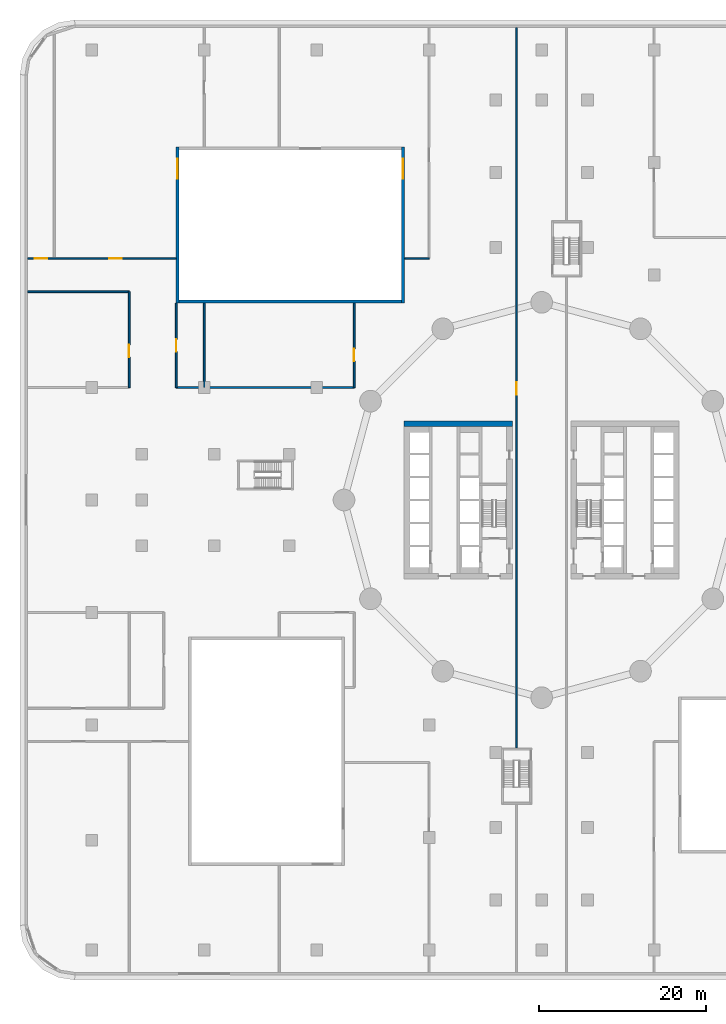
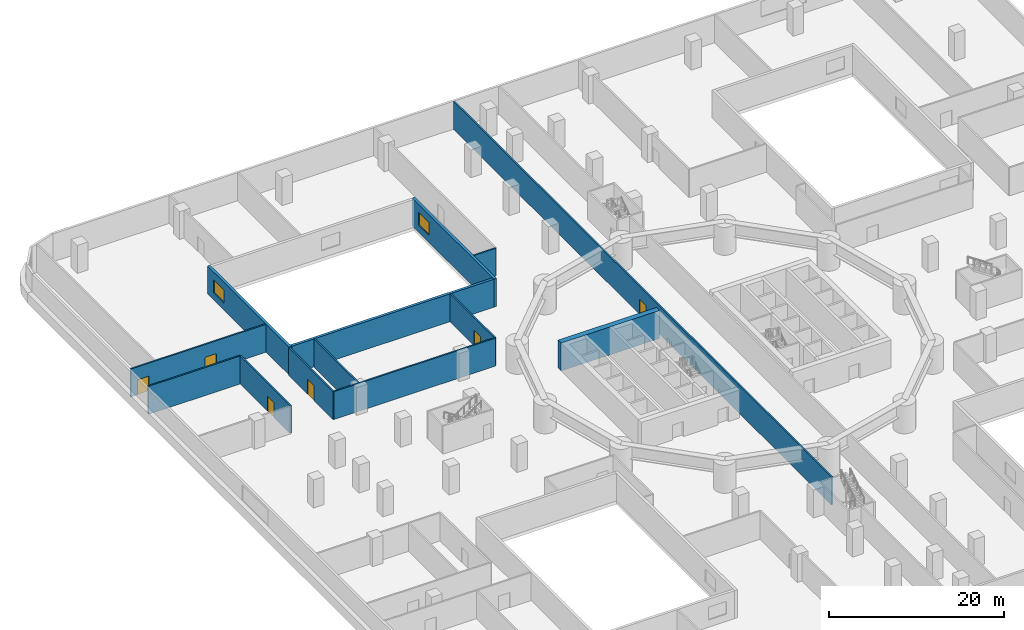
# One storey, part 9 of 16: 13 walls, 6 doors, 2 windows, 8 openings.
"""IFC4 building model written with IfcOpenShell, lengths in metres."""

import ifcopenshell
import ifcopenshell.guid

model = None  # the IFC model being written
_history = None  # IfcOwnerHistory: only IFC2X3 demands one
_inside = {}  # id of a spatial element -> (the spatial element, [elements in it])
_under = {}  # id of a project, library or spatial element -> (it, [spatial elements below it])
_declared = {}  # id of a project -> (the project, [libraries it declares])
_typed = {}  # id of a type object -> (the type object, [elements of that type])
_made_of = {}  # id of a material, layer set ... -> (it, [elements and type objects made of it])


def new_model(schema):
    """Start an empty IFC model of exactly this schema.

    Asked for "IFC4X3", IfcOpenShell would pick the latest addendum, in which some entities
    have other attributes; the version numbers below select the first issue.
    IFC2X3 requires an IfcOwnerHistory on every rooted entity: one is made here for all.
    """
    global model, _history
    if schema == "IFC4X3":
        model = ifcopenshell.file(schema_version=(4, 3, 0, 0))
    else:
        model = ifcopenshell.file(schema=schema)
    _inside.clear()
    _under.clear()
    _declared.clear()
    _typed.clear()
    _made_of.clear()
    _history = None
    if model.schema == "IFC2X3":
        org = make("IfcOrganization", Name="unknown")
        user = make(
            "IfcPersonAndOrganization",
            ThePerson=make("IfcPerson", FamilyName="unknown"),
            TheOrganization=org,
        )
        app = make(
            "IfcApplication",
            ApplicationDeveloper=org,
            Version="unknown",
            ApplicationFullName="unknown",
            ApplicationIdentifier="unknown",
        )
        _history = make(
            "IfcOwnerHistory",
            OwningUser=user,
            OwningApplication=app,
            ChangeAction="ADDED",
            CreationDate=0,
        )
    return model


def make(cls, **values):
    """One entity of the class cls with the attributes given. An attribute that is None is left unset."""
    return model.create_entity(
        cls, **{name: value for name, value in values.items() if value is not None}
    )


def rooted(cls, **values):
    """An entity with a GlobalId (a new one), such as an element, a storey or a relation."""
    return make(cls, GlobalId=ifcopenshell.guid.new(), OwnerHistory=_history, **values)


def si_unit(unit_type, name, prefix=None):
    """IfcSIUnit, for example si_unit("LENGTHUNIT", "METRE", prefix="MILLI")."""
    return make("IfcSIUnit", UnitType=unit_type, Prefix=prefix, Name=name)


def assignment(units):
    """IfcUnitAssignment: the units of a project."""
    return None if units is None else make("IfcUnitAssignment", Units=units)


def point(xyz):
    """IfcCartesianPoint."""
    return None if xyz is None else make("IfcCartesianPoint", Coordinates=xyz)


def direction(xyz):
    """IfcDirection."""
    return None if xyz is None else make("IfcDirection", DirectionRatios=xyz)


def frame(location, z_axis=None, x_axis=None):
    """IfcAxis2Placement3D, a coordinate frame: its origin and axes. An axis left out is left unset."""
    return make(
        "IfcAxis2Placement3D",
        Location=point(location),
        Axis=direction(z_axis),
        RefDirection=direction(x_axis),
    )


def frame_2d(location, x_axis=None):
    """IfcAxis2Placement2D, a coordinate frame in the plane: its origin and x axis."""
    return make(
        "IfcAxis2Placement2D", Location=point(location), RefDirection=direction(x_axis)
    )


def origin():
    """The frame at (0, 0, 0) with its axes left unset."""
    return frame((0.0, 0.0, 0.0))


def place(relative_to, where):
    """IfcLocalPlacement: puts the frame where relative to a parent placement (None: the world)."""
    return make(
        "IfcLocalPlacement", PlacementRelTo=relative_to, RelativePlacement=where
    )


def context(
    kind, dimensions, precision=None, world=None, true_north=None, identifier=None
):
    """IfcGeometricRepresentationContext, for example the 3D "Model" context."""
    return make(
        "IfcGeometricRepresentationContext",
        ContextIdentifier=identifier,
        ContextType=kind,
        CoordinateSpaceDimension=dimensions,
        Precision=precision,
        WorldCoordinateSystem=world,
        TrueNorth=true_north,
    )


def subcontext(parent, identifier, kind, view, scale=None):
    """IfcGeometricRepresentationSubContext, for example "Body" below "Model"."""
    return make(
        "IfcGeometricRepresentationSubContext",
        ContextIdentifier=identifier,
        ContextType=kind,
        ParentContext=parent,
        TargetScale=scale,
        TargetView=view,
    )


def project(units=None, contexts=None):
    """IfcProject with its units and contexts."""
    return rooted(
        "IfcProject",
        Name="project",
        RepresentationContexts=contexts,
        UnitsInContext=assignment(units),
    )


def spatial(cls, under=None, at=None, **own):
    """A site, building, storey or space (cls), placed at a placement, below another one or the project."""
    s = rooted(cls, ObjectPlacement=at, **own)
    if under is not None:
        _under.setdefault(under.id(), (under, []))[1].append(s)
    return s


def profile(cls, at=None, kind="AREA", **sizes):
    """A parametric profile (cls). Its sizes go by their IFC names, for example OverallWidth=200.0."""
    return make(cls, ProfileType=kind, Position=at, **sizes)


def rectangle(**sizes):
    """IfcRectangleProfileDef."""
    return profile("IfcRectangleProfileDef", **sizes)


def extrude(swept, where, along, depth):
    """IfcExtrudedAreaSolid: the profile swept, set in the frame where, extruded along a direction by depth."""
    return make(
        "IfcExtrudedAreaSolid",
        SweptArea=swept,
        Position=where,
        ExtrudedDirection=direction(along),
        Depth=depth,
    )


def shape(context_of_items, identifier, shape_type, items):
    """IfcShapeRepresentation: the items that make up one representation, for example the "Body"."""
    return make(
        "IfcShapeRepresentation",
        ContextOfItems=context_of_items,
        RepresentationIdentifier=identifier,
        RepresentationType=shape_type,
        Items=items,
    )


def material(Name=None, Category=None):
    """IfcMaterial."""
    return make("IfcMaterial", Name=Name, Category=Category)


def layer(
    of_material, thickness, ventilated=None, Name=None, Category=None, Priority=None
):
    """IfcMaterialLayer: one layer of a wall or slab, of a material (None: an air gap)."""
    return make(
        "IfcMaterialLayer",
        Material=of_material,
        LayerThickness=thickness,
        IsVentilated=ventilated,
        Name=Name,
        Category=Category,
        Priority=Priority,
    )


def layer_set(layers, Name=None):
    """IfcMaterialLayerSet."""
    return make("IfcMaterialLayerSet", MaterialLayers=layers, LayerSetName=Name)


def made_of(thing, what):
    """Note that an element or type object is made of a material, layer set ...; save() writes the relation."""
    if what is not None:
        _made_of.setdefault(what.id(), (what, []))[1].append(thing)
    return thing


def type_object(cls, material=None, **own):
    """A type object (cls), such as IfcWallType, which elements share."""
    return made_of(rooted(cls, **own), material)


def element(
    cls,
    number,
    at=None,
    inside=None,
    cuts=None,
    type_object=None,
    material=None,
    context=None,
    identifier="Body",
    shape_type=None,
    held_by="IfcProductDefinitionShape",
    body=None,
    shapes=None,
    **own,
):
    """One element of the class cls, such as IfcWall. Its Tag is "e" and its number.

    at: its placement. inside: the storey or other place that contains it. cuts: it is an
    opening in that element (IfcRelVoidsElement). A single representation is given by context,
    identifier, shape_type and body (its items); several are given by shapes. held_by: the class
    of the entity that holds the representations. save() writes the other relations.
    """
    e = rooted(cls, Tag="e%d" % number, ObjectPlacement=at, **own)
    if body is not None:
        shapes = [shape(context, identifier, shape_type, body)]
    if shapes is not None:
        e.Representation = make(held_by, Representations=shapes)
    if inside is not None:
        _inside.setdefault(inside.id(), (inside, []))[1].append(e)
    if cuts is not None:
        rooted(
            "IfcRelVoidsElement", RelatingBuildingElement=cuts, RelatedOpeningElement=e
        )
    if type_object is not None:
        _typed.setdefault(type_object.id(), (type_object, []))[1].append(e)
    return made_of(e, material)


def fill(opening, filler):
    """IfcRelFillsElement: the door or window that sits in an opening."""
    return rooted(
        "IfcRelFillsElement",
        RelatingOpeningElement=opening,
        RelatedBuildingElement=filler,
    )


def aggregate(whole, parts):
    """IfcRelAggregates: a whole, such as a stair, and the parts it consists of."""
    return rooted("IfcRelAggregates", RelatingObject=whole, RelatedObjects=parts)


def save(model, path):
    """Write the relations noted so far, then the file.

    IfcRelAggregates (storeys below a building ...), IfcRelContainedInSpatialStructure (elements
    in a storey), IfcRelDefinesByType, IfcRelAssociatesMaterial and IfcRelDeclares: one each for
    every whole, place, type object, material and project.
    """
    for whole, parts in _under.values():
        aggregate(whole, parts)
    for where, things in _inside.values():
        rooted(
            "IfcRelContainedInSpatialStructure",
            RelatedElements=things,
            RelatingStructure=where,
        )
    for kind, things in _typed.values():
        rooted("IfcRelDefinesByType", RelatedObjects=things, RelatingType=kind)
    for what, things in _made_of.values():
        rooted("IfcRelAssociatesMaterial", RelatedObjects=things, RelatingMaterial=what)
    for by, libraries in _declared.values():
        rooted("IfcRelDeclares", RelatingContext=by, RelatedDefinitions=libraries)
    model.write(path)


model = new_model("IFC4")

# Units and contexts
model_context = context("Model", 3, precision=1e-05, world=origin(), true_north=direction((0.0, 1.0)))
body_context = subcontext(model_context, "Body", "Model", "MODEL_VIEW")
ifc_project = project(units=[si_unit("LENGTHUNIT", "METRE"), si_unit("AREAUNIT", "SQUARE_METRE"), si_unit("VOLUMEUNIT", "CUBIC_METRE"), si_unit("PLANEANGLEUNIT", "RADIAN"), si_unit("MASSUNIT", "GRAM", prefix="KILO")], contexts=[model_context])

# Site, building, storey
site_placement = place(None, origin())
site = spatial("IfcSite", under=ifc_project, at=site_placement, CompositionType="ELEMENT")
building_placement = place(site_placement, origin())
building = spatial("IfcBuilding", under=site, at=building_placement, Name="Tamarind Cross Interchange Tower", CompositionType="ELEMENT")
storey_placement = place(building_placement, frame((0.0, 0.0, 25.0)))
storey = spatial("IfcBuildingStorey", under=building, at=storey_placement, Name="L04", CompositionType="ELEMENT", Elevation=25.0)

# Walls
ifc_material_1 = material(Name="Concrete C80", Category="concrete")
ifc_layer_1 = layer(ifc_material_1, 0.699951171875)
ifc_layer_set_1 = layer_set([ifc_layer_1], Name="Concrete C80")
wall_type_1 = type_object("IfcWallType", Name="Core wall 700 mm Concrete C80", PredefinedType="SHEAR", material=ifc_layer_set_1)
wall_1_placement = place(storey_placement, frame((-16.5, 9.14990234375, 0.0), z_axis=(0.0, 0.0, 1.0), x_axis=(1.0, 0.0, 0.0)))
element("IfcWall", 1, at=wall_1_placement, inside=storey, type_object=wall_type_1, Name="Core wall CWL-L04-W-NE", PredefinedType="SHEAR", context=body_context, shape_type="SweptSolid", body=[
    extrude(rectangle(XDim=13.0, YDim=0.699951171875, at=frame_2d((6.5, 0.0))), origin(), (0.0, 0.0, 1.0), 3.89990234375),
])
ifc_material_2 = material(Name="Masonry partition, fire-rated", Category="masonry")
ifc_layer_2 = layer(ifc_material_2, 0.199951171875)
ifc_layer_set_2 = layer_set([ifc_layer_2], Name="Masonry partition, fire-rated")
wall_type_2 = type_object("IfcWallType", Name="Fire partition 200 EI 120", PredefinedType="PARTITIONING", material=ifc_layer_set_2)
wall_2_placement = place(storey_placement, frame((-61.698974609375, 25.0, 0.0), z_axis=(0.0, 0.0, 1.0), x_axis=(1.0, 0.0, 0.0)))
element("IfcWall", 2, at=wall_2_placement, inside=storey, type_object=wall_type_2, Name="L04 partition 8", PredefinedType="PARTITIONING", context=body_context, shape_type="SweptSolid", body=[
    extrude(rectangle(XDim=12.198974609375, YDim=0.199951171875, at=frame_2d((6.099609375, 0.0))), origin(), (0.0, 0.0, 1.0), 3.89990234375),
])

# Wall, opening, door
wall_3_placement = place(storey_placement, frame((-49.5, 13.5, 0.0), z_axis=(0.0, 0.0, 1.0), x_axis=(0.0, 1.0, 0.0)))
wall_3 = element("IfcWall", 3, at=wall_3_placement, inside=storey, type_object=wall_type_2, Name="L04 partition 9", PredefinedType="PARTITIONING", context=body_context, shape_type="SweptSolid", body=[
    extrude(rectangle(XDim=11.5, YDim=0.199951171875, at=frame_2d((5.75, 0.0))), origin(), (0.0, 0.0, 1.0), 3.89990234375),
])
opening_1_placement = place(wall_3_placement, frame((3.654052734375, 0.0, 0.0)))
opening_1 = element("IfcOpeningElement", 4, at=opening_1_placement, cuts=wall_3, Name="Opening DL04-09", PredefinedType="OPENING", context=body_context, shape_type="SweptSolid", body=[
    extrude(rectangle(XDim=1.5, YDim=2.10009765625, at=frame_2d((0.75, 1.050048828125))), frame((0.0, 0.10986328125, 0.0), z_axis=(0.0, -1.0, 0.0), x_axis=(1.0, 0.0, 0.0)), (0.0, 0.0, 1.0), 0.219970703125),
])
ifc_material_3 = material(Name="Steel, fire-resisting", Category="steel")
door_type_1 = type_object("IfcDoorType", Name="Podium door 1500 x 2100 FD90", OperationType="SINGLE_SWING_LEFT", PredefinedType="DOOR", material=ifc_material_3)
door_1_placement = place(opening_1_placement, origin())
door_1 = element("IfcDoor", 5, at=door_1_placement, inside=storey, type_object=door_type_1, Name="L04 door Smoke Extract Plant Room 0409", OperationType="SINGLE_SWING_LEFT", OverallHeight=2.10009765625, OverallWidth=1.5, PredefinedType="DOOR", context=body_context, shape_type="SweptSolid", body=[
    extrude(rectangle(XDim=1.5, YDim=2.10009765625, at=frame_2d((0.75, 1.050048828125))), frame((0.0, 0.02490234375, 0.0), z_axis=(0.0, -1.0, 0.0), x_axis=(1.0, 0.0, 0.0)), (0.0, 0.0, 1.0), 0.050048828125),
])
fill(opening_1, door_1)

# Wall, openings, doors
wall_4_placement = place(storey_placement, frame((-61.698974609375, 29.0, 0.0), z_axis=(0.0, 0.0, 1.0), x_axis=(1.0, 0.0, 0.0)))
wall_4 = element("IfcWall", 6, at=wall_4_placement, inside=storey, type_object=wall_type_2, Name="L04 partition 11", PredefinedType="PARTITIONING", context=body_context, shape_type="SweptSolid", body=[
    extrude(rectangle(XDim=17.819091796875, YDim=0.199951171875, at=frame_2d((8.90966796875, 0.0))), origin(), (0.0, 0.0, 1.0), 3.89990234375),
])
opening_2_placement = place(wall_4_placement, frame((9.783935546875, 0.0, 0.0)))
opening_2 = element("IfcOpeningElement", 7, at=opening_2_placement, cuts=wall_4, Name="Opening DL04-12", PredefinedType="OPENING", context=body_context, shape_type="SweptSolid", body=[
    extrude(rectangle(XDim=1.5, YDim=2.10009765625, at=frame_2d((0.75, 1.050048828125))), frame((0.0, 0.10986328125, 0.0), z_axis=(0.0, -1.0, 0.0), x_axis=(1.0, 0.0, 0.0)), (0.0, 0.0, 1.0), 0.219970703125),
])
opening_3_placement = place(wall_4_placement, frame((0.84912109375, 0.0, 0.0)))
opening_3 = element("IfcOpeningElement", 8, at=opening_3_placement, cuts=wall_4, Name="Opening DL04-13", PredefinedType="OPENING", context=body_context, shape_type="SweptSolid", body=[
    extrude(rectangle(XDim=1.5, YDim=2.10009765625, at=frame_2d((0.75, 1.050048828125))), frame((0.0, 0.10986328125, 0.0), z_axis=(0.0, -1.0, 0.0), x_axis=(1.0, 0.0, 0.0)), (0.0, 0.0, 1.0), 0.219970703125),
])
door_type_2 = type_object("IfcDoorType", Name="Podium door 1500 x 2100 FD60", OperationType="SINGLE_SWING_LEFT", PredefinedType="DOOR", material=ifc_material_3)
door_2_placement = place(opening_2_placement, origin())
door_2 = element("IfcDoor", 9, at=door_2_placement, inside=storey, type_object=door_type_2, Name="L04 door Fire Pump Room 0412", OperationType="SINGLE_SWING_RIGHT", OverallHeight=2.10009765625, OverallWidth=1.5, PredefinedType="DOOR", context=body_context, shape_type="SweptSolid", body=[
    extrude(rectangle(XDim=1.5, YDim=2.10009765625, at=frame_2d((0.75, 1.050048828125))), frame((0.0, 0.02490234375, 0.0), z_axis=(0.0, -1.0, 0.0), x_axis=(1.0, 0.0, 0.0)), (0.0, 0.0, 1.0), 0.050048828125),
])
fill(opening_2, door_2)
door_3_placement = place(opening_3_placement, origin())
door_3 = element("IfcDoor", 10, at=door_3_placement, inside=storey, type_object=door_type_1, Name="L04 door Electrical Switch Room 0413", OperationType="SINGLE_SWING_LEFT", OverallHeight=2.10009765625, OverallWidth=1.5, PredefinedType="DOOR", context=body_context, shape_type="SweptSolid", body=[
    extrude(rectangle(XDim=1.5, YDim=2.10009765625, at=frame_2d((0.75, 1.050048828125))), frame((0.0, 0.02490234375, 0.0), z_axis=(0.0, -1.0, 0.0), x_axis=(1.0, 0.0, 0.0)), (0.0, 0.0, 1.0), 0.050048828125),
])
fill(opening_3, door_3)

# Wall
wall_5_placement = place(storey_placement, frame((-43.85009765625, 13.5, 0.0), z_axis=(0.0, 0.0, 1.0), x_axis=(1.0, 0.0, 0.0)))
element("IfcWall", 11, at=wall_5_placement, inside=storey, type_object=wall_type_2, Name="L04 partition 16", PredefinedType="PARTITIONING", context=body_context, shape_type="SweptSolid", body=[
    extrude(rectangle(XDim=21.35009765625, YDim=0.199951171875, at=frame_2d((10.675048828125, 0.0))), origin(), (0.0, 0.0, 1.0), 3.89990234375),
])

# Wall, opening, door
wall_6_placement = place(storey_placement, frame((-43.85009765625, 13.5, 0.0), z_axis=(0.0, 0.0, 1.0), x_axis=(0.0, 1.0, 0.0)))
wall_6 = element("IfcWall", 12, at=wall_6_placement, inside=storey, type_object=wall_type_2, Name="L04 partition 17", PredefinedType="PARTITIONING", context=body_context, shape_type="SweptSolid", body=[
    extrude(rectangle(XDim=10.1201171875, YDim=0.199951171875, at=frame_2d((5.06005859375, 0.0))), origin(), (0.0, 0.0, 1.0), 3.89990234375),
])
opening_4_placement = place(wall_6_placement, frame((4.3154296875, 0.0, 0.0)))
opening_4 = element("IfcOpeningElement", 13, at=opening_4_placement, cuts=wall_6, Name="Opening DL04-14", PredefinedType="OPENING", context=body_context, shape_type="SweptSolid", body=[
    extrude(rectangle(XDim=1.5, YDim=2.10009765625, at=frame_2d((0.75, 1.050048828125))), frame((0.0, 0.10986328125, 0.0), z_axis=(0.0, -1.0, 0.0), x_axis=(1.0, 0.0, 0.0)), (0.0, 0.0, 1.0), 0.219970703125),
])
door_4_placement = place(opening_4_placement, origin())
door_4 = element("IfcDoor", 14, at=door_4_placement, inside=storey, type_object=door_type_1, Name="L04 door Generator Room 0408", OperationType="SINGLE_SWING_RIGHT", OverallHeight=2.10009765625, OverallWidth=1.5, PredefinedType="DOOR", context=body_context, shape_type="SweptSolid", body=[
    extrude(rectangle(XDim=1.5, YDim=2.10009765625, at=frame_2d((0.75, 1.050048828125))), frame((0.0, 0.02490234375, 0.0), z_axis=(0.0, -1.0, 0.0), x_axis=(1.0, 0.0, 0.0)), (0.0, 0.0, 1.0), 0.050048828125),
])
fill(opening_4, door_4)

# Wall
wall_7_placement = place(storey_placement, frame((-40.5, 13.5, 0.0), z_axis=(0.0, 0.0, 1.0), x_axis=(0.0, 1.0, 0.0)))
element("IfcWall", 15, at=wall_7_placement, inside=storey, type_object=wall_type_2, Name="L04 partition 18", PredefinedType="PARTITIONING", context=body_context, shape_type="SweptSolid", body=[
    extrude(rectangle(XDim=10.1201171875, YDim=0.199951171875, at=frame_2d((5.06005859375, 0.0))), origin(), (0.0, 0.0, 1.0), 3.89990234375),
])

# Wall, opening, door
wall_8_placement = place(storey_placement, frame((-22.5, 13.5, 0.0), z_axis=(0.0, 0.0, 1.0), x_axis=(0.0, 1.0, 0.0)))
wall_8 = element("IfcWall", 16, at=wall_8_placement, inside=storey, type_object=wall_type_2, Name="L04 partition 19", PredefinedType="PARTITIONING", context=body_context, shape_type="SweptSolid", body=[
    extrude(rectangle(XDim=10.1201171875, YDim=0.199951171875, at=frame_2d((5.06005859375, 0.0))), origin(), (0.0, 0.0, 1.0), 3.89990234375),
])
opening_5_placement = place(wall_8_placement, frame((3.16796875, 0.0, 0.0)))
opening_5 = element("IfcOpeningElement", 17, at=opening_5_placement, cuts=wall_8, Name="Opening DL04-08", PredefinedType="OPENING", context=body_context, shape_type="SweptSolid", body=[
    extrude(rectangle(XDim=1.5, YDim=2.10009765625, at=frame_2d((0.75, 1.050048828125))), frame((0.0, 0.10986328125, 0.0), z_axis=(0.0, -1.0, 0.0), x_axis=(1.0, 0.0, 0.0)), (0.0, 0.0, 1.0), 0.219970703125),
])
door_5_placement = place(opening_5_placement, origin())
door_5 = element("IfcDoor", 18, at=door_5_placement, inside=storey, type_object=door_type_1, Name="L04 door Electrical Switch Room 0407", OperationType="SINGLE_SWING_RIGHT", OverallHeight=2.10009765625, OverallWidth=1.5, PredefinedType="DOOR", context=body_context, shape_type="SweptSolid", body=[
    extrude(rectangle(XDim=1.5, YDim=2.10009765625, at=frame_2d((0.75, 1.050048828125))), frame((0.0, 0.02490234375, 0.0), z_axis=(0.0, -1.0, 0.0), x_axis=(1.0, 0.0, 0.0)), (0.0, 0.0, 1.0), 0.050048828125),
])
fill(opening_5, door_5)

# Wall
wall_9_placement = place(storey_placement, frame((-16.419921875, 29.0, 0.0), z_axis=(0.0, 0.0, 1.0), x_axis=(1.0, 0.0, 0.0)))
element("IfcWall", 19, at=wall_9_placement, inside=storey, type_object=wall_type_2, Name="L04 partition 30", PredefinedType="PARTITIONING", context=body_context, shape_type="SweptSolid", body=[
    extrude(rectangle(XDim=2.919921875, YDim=0.199951171875, at=frame_2d((1.4599609375, 0.0))), origin(), (0.0, 0.0, 1.0), 3.89990234375),
])

# Wall, opening, door
wall_10_placement = place(storey_placement, frame((-3.0, -29.77001953125, 0.0), z_axis=(0.0, 0.0, 1.0), x_axis=(0.0, 1.0, 0.0)))
wall_10 = element("IfcWall", 20, at=wall_10_placement, inside=storey, type_object=wall_type_2, Name="L04 partition 32", PredefinedType="PARTITIONING", context=body_context, shape_type="SweptSolid", body=[
    extrude(rectangle(XDim=86.468994140625, YDim=0.199951171875, at=frame_2d((43.234375, 0.0))), origin(), (0.0, 0.0, 1.0), 3.89990234375),
])
opening_6_placement = place(wall_10_placement, frame((42.3701171875, 0.0, 0.0)))
opening_6 = element("IfcOpeningElement", 21, at=opening_6_placement, cuts=wall_10, Name="Opening DL04-28", PredefinedType="OPENING", context=body_context, shape_type="SweptSolid", body=[
    extrude(rectangle(XDim=1.5, YDim=2.10009765625, at=frame_2d((0.75, 1.050048828125))), frame((0.0, 0.10986328125, 0.0), z_axis=(0.0, -1.0, 0.0), x_axis=(1.0, 0.0, 0.0)), (0.0, 0.0, 1.0), 0.219970703125),
])
door_6_placement = place(opening_6_placement, origin())
door_6 = element("IfcDoor", 22, at=door_6_placement, inside=storey, type_object=door_type_2, Name="L04 door Transfer Plant Hall 5", OperationType="SINGLE_SWING_RIGHT", OverallHeight=2.10009765625, OverallWidth=1.5, PredefinedType="DOOR", context=body_context, shape_type="SweptSolid", body=[
    extrude(rectangle(XDim=1.5, YDim=2.10009765625, at=frame_2d((0.75, 1.050048828125))), frame((0.0, 0.02490234375, 0.0), z_axis=(0.0, -1.0, 0.0), x_axis=(1.0, 0.0, 0.0)), (0.0, 0.0, 1.0), 0.050048828125),
])
fill(opening_6, door_6)

# Wall
ifc_material_4 = material(Name="Precast concrete C40", Category="concrete")
ifc_layer_3 = layer(ifc_material_4, 0.35009765625)
ifc_layer_set_3 = layer_set([ifc_layer_3], Name="Precast concrete C40")
wall_type_3 = type_object("IfcWallType", Name="Podium facade wall", PredefinedType="SOLIDWALL", material=ifc_layer_set_3)
wall_11_placement = place(storey_placement, frame((-43.5, 23.824951171875, 0.0), z_axis=(0.0, 0.0, 1.0), x_axis=(1.0, 0.0, 0.0)))
element("IfcWall", 23, at=wall_11_placement, inside=storey, type_object=wall_type_3, Name="CTW-L04-NWS00", PredefinedType="SOLIDWALL", context=body_context, shape_type="SweptSolid", body=[
    extrude(rectangle(XDim=26.699951171875, YDim=0.35009765625, at=frame_2d((13.35009765625, 0.0))), origin(), (0.0, 0.0, 1.0), 3.89990234375),
])

# Wall, opening, window
wall_12_placement = place(storey_placement, frame((-43.675048828125, 23.64990234375, 0.0), z_axis=(0.0, 0.0, 1.0), x_axis=(0.0, 1.0, 0.0)))
wall_12 = element("IfcWall", 24, at=wall_12_placement, inside=storey, type_object=wall_type_3, Name="CTW-L04-NWW00", PredefinedType="SOLIDWALL", context=body_context, shape_type="SweptSolid", body=[
    extrude(rectangle(XDim=18.7001953125, YDim=0.35009765625, at=frame_2d((9.35009765625, 0.0))), origin(), (0.0, 0.0, 1.0), 3.89990234375),
])
opening_7_placement = place(wall_12_placement, frame((14.89990234375, 0.0, 1.0)))
opening_7 = element("IfcOpeningElement", 25, at=opening_7_placement, cuts=wall_12, Name="Opening W4", PredefinedType="OPENING", context=body_context, shape_type="SweptSolid", body=[
    extrude(rectangle(XDim=2.39990234375, YDim=1.800048828125, at=frame_2d((1.199951171875, 0.89990234375))), frame((0.0, 0.18505859375, 0.0), z_axis=(0.0, -1.0, 0.0), x_axis=(1.0, 0.0, 0.0)), (0.0, 0.0, 1.0), 0.3701171875),
])
ifc_material_5 = material(Name="Aluminium and toughened glass", Category="aluminium")
window_type = type_object("IfcWindowType", Name="Podium daylight window", PartitioningType="SINGLE_PANEL", PredefinedType="WINDOW", material=ifc_material_5)
window_1_placement = place(opening_7_placement, origin())
window_1 = element("IfcWindow", 26, at=window_1_placement, inside=storey, type_object=window_type, Name="CTX-L04-NWW-01-00", OverallHeight=1.800048828125, OverallWidth=2.39990234375, PartitioningType="SINGLE_PANEL", PredefinedType="WINDOW", context=body_context, shape_type="SweptSolid", body=[
    extrude(rectangle(XDim=2.39990234375, YDim=1.800048828125, at=frame_2d((1.199951171875, 0.89990234375))), frame((0.0, 0.030029296875, 0.0), z_axis=(0.0, -1.0, 0.0), x_axis=(1.0, 0.0, 0.0)), (0.0, 0.0, 1.0), 0.06005859375),
])
fill(opening_7, window_1)

wall_13_placement = place(storey_placement, frame((-16.625, 23.64990234375, 0.0), z_axis=(0.0, 0.0, 1.0), x_axis=(0.0, 1.0, 0.0)))
wall_13 = element("IfcWall", 27, at=wall_13_placement, inside=storey, type_object=wall_type_3, Name="CTW-L04-NWE00", PredefinedType="SOLIDWALL", context=body_context, shape_type="SweptSolid", body=[
    extrude(rectangle(XDim=18.7001953125, YDim=0.35009765625, at=frame_2d((9.35009765625, 0.0))), origin(), (0.0, 0.0, 1.0), 3.89990234375),
])
opening_8_placement = place(wall_13_placement, frame((14.89990234375, 0.0, 1.0)))
opening_8 = element("IfcOpeningElement", 28, at=opening_8_placement, cuts=wall_13, Name="Opening W4", PredefinedType="OPENING", context=body_context, shape_type="SweptSolid", body=[
    extrude(rectangle(XDim=2.39990234375, YDim=1.800048828125, at=frame_2d((1.199951171875, 0.89990234375))), frame((0.0, 0.18505859375, 0.0), z_axis=(0.0, -1.0, 0.0), x_axis=(1.0, 0.0, 0.0)), (0.0, 0.0, 1.0), 0.3701171875),
])
window_2_placement = place(opening_8_placement, origin())
window_2 = element("IfcWindow", 29, at=window_2_placement, inside=storey, type_object=window_type, Name="CTX-L04-NWE-01-00", OverallHeight=1.800048828125, OverallWidth=2.39990234375, PartitioningType="SINGLE_PANEL", PredefinedType="WINDOW", context=body_context, shape_type="SweptSolid", body=[
    extrude(rectangle(XDim=2.39990234375, YDim=1.800048828125, at=frame_2d((1.199951171875, 0.89990234375))), frame((0.0, 0.030029296875, 0.0), z_axis=(0.0, -1.0, 0.0), x_axis=(1.0, 0.0, 0.0)), (0.0, 0.0, 1.0), 0.06005859375),
])
fill(opening_8, window_2)

save(model, "model.ifc")
